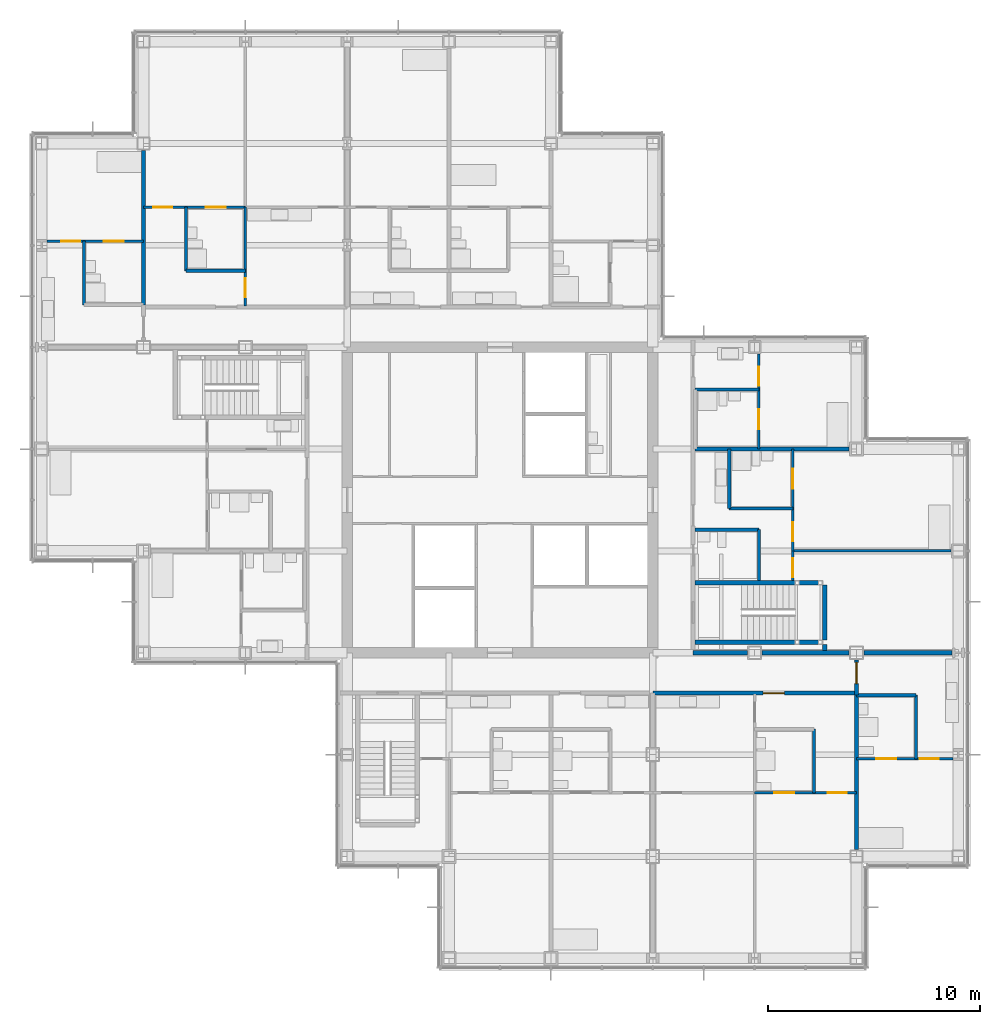
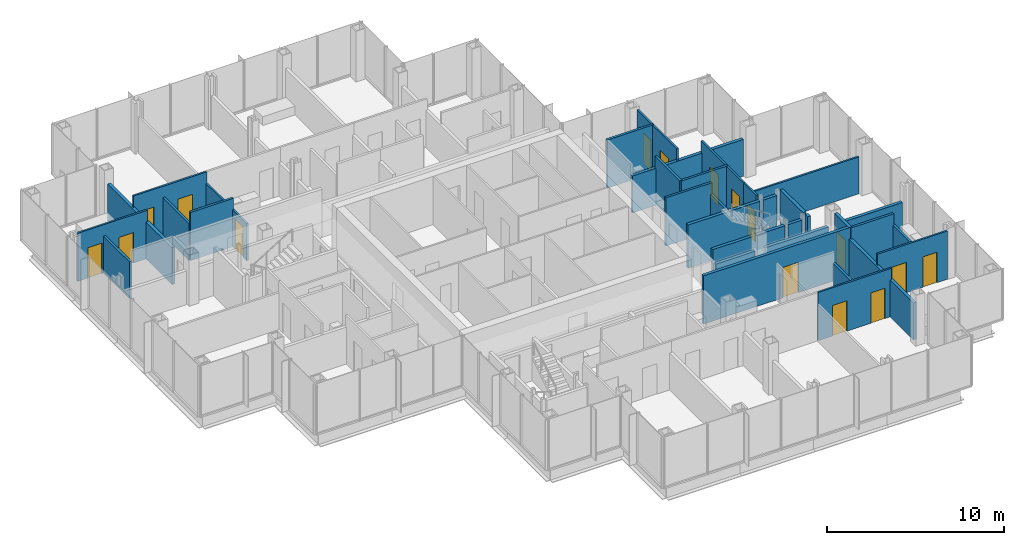
# One storey, part 15 of 19: 34 walls, 16 doors, 16 openings.
"""IFC4 building model written with IfcOpenShell, lengths in metres."""

from ifc_helpers import new_model, si_unit, direction, frame, frame_2d, origin, place, context, subcontext, project, spatial, rectangle, extrude, material, layer, layer_set, type_object, element, fill, save


model = new_model("IFC4")

# Units and contexts
model_context = context("Model", 3, precision=1e-05, world=origin(), true_north=direction((0.0, 1.0)))
body_context = subcontext(model_context, "Body", "Model", "MODEL_VIEW")
ifc_project = project(units=[si_unit("LENGTHUNIT", "METRE"), si_unit("AREAUNIT", "SQUARE_METRE"), si_unit("VOLUMEUNIT", "CUBIC_METRE"), si_unit("PLANEANGLEUNIT", "RADIAN"), si_unit("MASSUNIT", "GRAM", prefix="KILO")], contexts=[model_context])

# Site, building, storey
site_placement = place(None, origin())
site = spatial("IfcSite", under=ifc_project, at=site_placement, CompositionType="ELEMENT")
building_placement = place(site_placement, origin())
building = spatial("IfcBuilding", under=site, at=building_placement, Name="Kvirike Care Tower", CompositionType="ELEMENT")
storey_placement = place(building_placement, frame((0.0, 0.0, 98.0)))
storey = spatial("IfcBuildingStorey", under=building, at=storey_placement, Name="L26", CompositionType="ELEMENT", Elevation=98.0)

# Walls
ifc_material_1 = material(Name="Moisture-resistant board partition", Category="gypsum")
ifc_layer_1 = layer(ifc_material_1, 0.14990234375)
ifc_layer_set_1 = layer_set([ifc_layer_1], Name="BATHROOM WALL 150")
wall_type_1 = type_object("IfcWallType", Name="BATHROOM WALL 150", PredefinedType="PARTITIONING", material=ifc_layer_set_1)
wall_1_placement = place(storey_placement, frame((6.800048828125, 49.800048828125, 0.0), z_axis=(0.0, 0.0, 1.0), x_axis=(0.0, -1.0, 0.0)))
element("IfcWall", 1, at=wall_1_placement, inside=storey, type_object=wall_type_1, Name="Bathroom Wall 150 L26", PredefinedType="PARTITIONING", context=body_context, shape_type="SweptSolid", body=[
    extrude(rectangle(XDim=3.0, YDim=0.14990234375, at=frame_2d((1.5, 0.0))), origin(), (0.0, 0.0, 1.0), 2.550048828125),
])
wall_2_placement = place(storey_placement, frame((9.60009765625, 46.800048828125, 0.0), z_axis=(0.0, 0.0, 1.0), x_axis=(-1.0, 0.0, 0.0)))
element("IfcWall", 2, at=wall_2_placement, inside=storey, type_object=wall_type_1, Name="Bathroom Wall 150 L26", PredefinedType="PARTITIONING", context=body_context, shape_type="SweptSolid", body=[
    extrude(rectangle(XDim=2.800048828125, YDim=0.14990234375, at=frame_2d((1.39990234375, 0.0))), origin(), (0.0, 0.0, 1.0), 3.330078125),
])
for number, where, z_axis, x_axis, name in (
    (3, (2.0, 48.199951171875, 0.0), (0.0, 0.0, 1.0), (0.0, -1.0, 0.0), "Bathroom Wall 150 L26"),
    (4, (36.39990234375, 22.199951171875, 0.0), (0.0, 0.0, 1.0), (0.0, 1.0, 0.0), "Bathroom Wall 150 L26"),
    (5, (41.199951171875, 23.800048828125, 0.0), (0.0, 0.0, 1.0), (0.0, 1.0, 0.0), "Bathroom Wall 150 L26"),
):
    element("IfcWall", number, at=place(storey_placement, frame(where, z_axis=z_axis, x_axis=x_axis)), inside=storey, type_object=wall_type_1, Name=name, PredefinedType="PARTITIONING", context=body_context, shape_type="SweptSolid", body=[
        extrude(rectangle(XDim=3.0, YDim=0.14990234375, at=frame_2d((1.5, 0.0))), origin(), (0.0, 0.0, 1.0), 2.550048828125),
    ])
wall_3_placement = place(storey_placement, frame((38.39990234375, 26.800048828125, 0.0), z_axis=(0.0, 0.0, 1.0), x_axis=(1.0, 0.0, 0.0)))
element("IfcWall", 6, at=wall_3_placement, inside=storey, type_object=wall_type_1, Name="Bathroom Wall 150 L26", PredefinedType="PARTITIONING", context=body_context, shape_type="SweptSolid", body=[
    extrude(rectangle(XDim=2.800048828125, YDim=0.14990234375, at=frame_2d((1.39990234375, 0.0))), origin(), (0.0, 0.0, 1.0), 3.330078125),
])
wall_4_placement = place(storey_placement, frame((33.800048828125, 32.199951171875, 0.0), z_axis=(0.0, 0.0, 1.0), x_axis=(0.0, 1.0, 0.0)))
element("IfcWall", 7, at=wall_4_placement, inside=storey, type_object=wall_type_1, Name="Bathroom Wall 150 L26", PredefinedType="PARTITIONING", context=body_context, shape_type="SweptSolid", body=[
    extrude(rectangle(XDim=2.400146484375, YDim=0.14990234375, at=frame_2d((1.2001953125, 0.0))), origin(), (0.0, 0.0, 1.0), 2.550048828125),
])
for number, where, z_axis, x_axis, name in (
    (8, (33.800048828125, 34.60009765625, 0.0), (0.0, 0.0, 1.0), (-1.0, 0.0, 0.0), "Bathroom Wall 150 L26"),
    (9, (35.39990234375, 35.60009765625, 0.0), (0.0, 0.0, 1.0), (-1.0, 0.0, 0.0), "Bathroom Wall 150 L26"),
):
    element("IfcWall", number, at=place(storey_placement, frame(where, z_axis=z_axis, x_axis=x_axis)), inside=storey, type_object=wall_type_1, Name=name, PredefinedType="PARTITIONING", context=body_context, shape_type="SweptSolid", body=[
        extrude(rectangle(XDim=3.0, YDim=0.14990234375, at=frame_2d((1.5, 0.0))), origin(), (0.0, 0.0, 1.0), 3.330078125),
    ])
wall_5_placement = place(storey_placement, frame((32.39990234375, 35.60009765625, 0.0), z_axis=(0.0, 0.0, 1.0), x_axis=(0.0, 1.0, 0.0)))
element("IfcWall", 10, at=wall_5_placement, inside=storey, type_object=wall_type_1, Name="Bathroom Wall 150 L26", PredefinedType="PARTITIONING", context=body_context, shape_type="SweptSolid", body=[
    extrude(rectangle(XDim=2.7998046875, YDim=0.14990234375, at=frame_2d((1.39990234375, 0.0))), origin(), (0.0, 0.0, 1.0), 3.330078125),
])
wall_6_placement = place(storey_placement, frame((33.800048828125, 41.199951171875, 0.0), z_axis=(0.0, 0.0, 1.0), x_axis=(-1.0, 0.0, 0.0)))
element("IfcWall", 11, at=wall_6_placement, inside=storey, type_object=wall_type_1, Name="Bathroom Wall 150 L26", PredefinedType="PARTITIONING", context=body_context, shape_type="SweptSolid", body=[
    extrude(rectangle(XDim=3.0, YDim=0.14990234375, at=frame_2d((1.5, 0.0))), origin(), (0.0, 0.0, 1.0), 3.330078125),
])

# Wall, opening, door
ifc_material_2 = material(Name="Plasterboard corridor wall", Category="gypsum")
ifc_layer_2 = layer(ifc_material_2, 0.199951171875)
ifc_layer_set_2 = layer_set([ifc_layer_2], Name="CORRIDOR WALL 200")
wall_type_2 = type_object("IfcWallType", Name="CORRIDOR WALL 200", PredefinedType="PARTITIONING", material=ifc_layer_set_2)
wall_7_placement = place(storey_placement, frame((28.800048828125, 26.89990234375, 0.0), z_axis=(0.0, 0.0, 1.0), x_axis=(1.0, 0.0, 0.0)))
wall_7 = element("IfcWall", 12, at=wall_7_placement, inside=storey, type_object=wall_type_2, Name="Corridor Wall 200 L26", PredefinedType="PARTITIONING", context=body_context, shape_type="SweptSolid", body=[
    extrude(rectangle(XDim=9.599853515625, YDim=0.199951171875, at=frame_2d((4.7998046875, 0.0))), origin(), (0.0, 0.0, 1.0), 3.330078125),
])
opening_1_placement = place(wall_7_placement, frame((5.199951171875, 0.0, 0.0)))
opening_1 = element("IfcOpeningElement", 13, at=opening_1_placement, cuts=wall_7, Name="Opening 26-041", PredefinedType="OPENING", context=body_context, shape_type="SweptSolid", body=[
    extrude(rectangle(XDim=1.0, YDim=2.10009765625, at=frame_2d((0.5, 1.050048828125))), frame((0.0, 0.110595703125, 0.0), z_axis=(0.0, -1.0, 0.0), x_axis=(1.0, 0.0, 0.0)), (0.0, 0.0, 1.0), 0.220947265625),
])
ifc_material_3 = material(Name="Timber door set", Category="wood")
door_type_1 = type_object("IfcDoorType", Name="FLAT ENTRANCE DOOR 1000", OperationType="SINGLE_SWING_LEFT", PredefinedType="DOOR", material=ifc_material_3)
door_1_placement = place(opening_1_placement, frame((1.0, 0.0, 0.0), z_axis=(0.0, 0.0, 1.0), x_axis=(-1.0, 0.0, 0.0)))
door_1 = element("IfcDoor", 14, at=door_1_placement, inside=storey, type_object=door_type_1, Name="Accessible assisted living suite entrance", OperationType="SINGLE_SWING_LEFT", OverallHeight=2.10009765625, OverallWidth=1.0, PredefinedType="DOOR", context=body_context, shape_type="SweptSolid", body=[
    extrude(rectangle(XDim=1.0, YDim=2.10009765625, at=frame_2d((0.5, 1.050048828125))), frame((0.0, 0.02685546875, 0.0), z_axis=(0.0, -1.0, 0.0), x_axis=(1.0, 0.0, 0.0)), (0.0, 0.0, 1.0), 0.053955078125),
])
fill(opening_1, door_1)

wall_8_placement = place(storey_placement, frame((38.39990234375, 26.800048828125, 0.0), z_axis=(0.0, 0.0, 1.0), x_axis=(0.0, 1.0, 0.0)))
wall_8 = element("IfcWall", 15, at=wall_8_placement, inside=storey, type_object=wall_type_2, Name="Corridor Wall 200 L26", PredefinedType="PARTITIONING", context=body_context, shape_type="SweptSolid", body=[
    extrude(rectangle(XDim=1.655029296875, YDim=0.199951171875, at=frame_2d((0.82763671875, 0.0))), origin(), (0.0, 0.0, 1.0), 3.330078125),
])
opening_2_placement = place(wall_8_placement, frame((0.550048828125, 0.0, 0.0)))
opening_2 = element("IfcOpeningElement", 16, at=opening_2_placement, cuts=wall_8, Name="Opening 26-042", PredefinedType="OPENING", context=body_context, shape_type="SweptSolid", body=[
    extrude(rectangle(XDim=1.0, YDim=2.10009765625, at=frame_2d((0.5, 1.050048828125))), frame((0.0, 0.110595703125, 0.0), z_axis=(0.0, -1.0, 0.0), x_axis=(1.0, 0.0, 0.0)), (0.0, 0.0, 1.0), 0.220947265625),
])
door_2_placement = place(opening_2_placement, frame((1.0, 0.0, 0.0), z_axis=(0.0, 0.0, 1.0), x_axis=(-1.0, 0.0, 0.0)))
door_2 = element("IfcDoor", 17, at=door_2_placement, inside=storey, type_object=door_type_1, Name="Assisted living suite entrance", OperationType="SINGLE_SWING_RIGHT", OverallHeight=2.10009765625, OverallWidth=1.0, PredefinedType="DOOR", context=body_context, shape_type="SweptSolid", body=[
    extrude(rectangle(XDim=1.0, YDim=2.10009765625, at=frame_2d((0.5, 1.050048828125))), frame((0.0, 0.02685546875, 0.0), z_axis=(0.0, -1.0, 0.0), x_axis=(1.0, 0.0, 0.0)), (0.0, 0.0, 1.0), 0.053955078125),
])
fill(opening_2, door_2)

ifc_material_4 = material(Name="Plasterboard partition", Category="gypsum")
ifc_layer_3 = layer(ifc_material_4, 0.1201171875)
ifc_layer_set_3 = layer_set([ifc_layer_3], Name="PARTITION 120")
wall_type_3 = type_object("IfcWallType", Name="PARTITION 120", PredefinedType="PARTITIONING", material=ifc_layer_set_3)
wall_9_placement = place(storey_placement, frame((9.60009765625, 49.800048828125, 0.0), z_axis=(0.0, 0.0, 1.0), x_axis=(0.0, -1.0, 0.0)))
wall_9 = element("IfcWall", 18, at=wall_9_placement, inside=storey, type_object=wall_type_3, Name="Partition 120 L26", PredefinedType="PARTITIONING", context=body_context, shape_type="SweptSolid", body=[
    extrude(rectangle(XDim=4.650146484375, YDim=0.1201171875, at=frame_2d((2.3251953125, 0.0))), origin(), (0.0, 0.0, 1.0), 2.550048828125),
])
opening_3_placement = place(wall_9_placement, frame((3.35009765625, 0.0, 0.0)))
opening_3 = element("IfcOpeningElement", 19, at=opening_3_placement, cuts=wall_9, Name="Opening 26-010", PredefinedType="OPENING", context=body_context, shape_type="SweptSolid", body=[
    extrude(rectangle(XDim=0.89990234375, YDim=2.10009765625, at=frame_2d((0.449951171875, 1.050048828125))), frame((0.0, 0.070556640625, 0.0), z_axis=(0.0, -1.0, 0.0), x_axis=(1.0, 0.0, 0.0)), (0.0, 0.0, 1.0), 0.14111328125),
])
ifc_material_5 = material(Name="Timber door set", Category="wood")
door_type_2 = type_object("IfcDoorType", Name="INTERNAL DOOR 900", OperationType="SINGLE_SWING_LEFT", PredefinedType="DOOR", material=ifc_material_5)
door_3_placement = place(opening_3_placement, origin())
door_3 = element("IfcDoor", 20, at=door_3_placement, inside=storey, type_object=door_type_2, Name="Hall door", OperationType="SINGLE_SWING_LEFT", OverallHeight=2.10009765625, OverallWidth=0.89990234375, PredefinedType="DOOR", context=body_context, shape_type="SweptSolid", body=[
    extrude(rectangle(XDim=0.89990234375, YDim=2.10009765625, at=frame_2d((0.449951171875, 1.050048828125))), frame((0.0, 0.02197265625, 0.0), z_axis=(0.0, -1.0, 0.0), x_axis=(1.0, 0.0, 0.0)), (0.0, 0.0, 1.0), 0.0439453125),
])
fill(opening_3, door_3)

# Wall, openings, doors
wall_10_placement = place(storey_placement, frame((9.60009765625, 49.800048828125, 0.0), z_axis=(0.0, 0.0, 1.0), x_axis=(-1.0, 0.0, 0.0)))
wall_10 = element("IfcWall", 21, at=wall_10_placement, inside=storey, type_object=wall_type_3, Name="Partition 120 L26", PredefinedType="PARTITIONING", context=body_context, shape_type="SweptSolid", body=[
    extrude(rectangle(XDim=4.800048828125, YDim=0.1201171875, at=frame_2d((2.39990234375, 0.0))), origin(), (0.0, 0.0, 1.0), 3.330078125),
])
opening_4_placement = place(wall_10_placement, frame((3.449951171875, 0.0, 0.0)))
opening_4 = element("IfcOpeningElement", 22, at=opening_4_placement, cuts=wall_10, Name="Opening 26-012", PredefinedType="OPENING", context=body_context, shape_type="SweptSolid", body=[
    extrude(rectangle(XDim=0.89990234375, YDim=2.10009765625, at=frame_2d((0.449951171875, 1.050048828125))), frame((0.0, 0.070556640625, 0.0), z_axis=(0.0, -1.0, 0.0), x_axis=(1.0, 0.0, 0.0)), (0.0, 0.0, 1.0), 0.14111328125),
])
opening_5_placement = place(wall_10_placement, frame((0.925048828125, 0.0, 0.0)))
opening_5 = element("IfcOpeningElement", 23, at=opening_5_placement, cuts=wall_10, Name="Opening 26-013", PredefinedType="OPENING", context=body_context, shape_type="SweptSolid", body=[
    extrude(rectangle(XDim=0.949951171875, YDim=2.10009765625, at=frame_2d((0.47509765625, 1.050048828125))), frame((0.0, 0.070556640625, 0.0), z_axis=(0.0, -1.0, 0.0), x_axis=(1.0, 0.0, 0.0)), (0.0, 0.0, 1.0), 0.14111328125),
])
ifc_material_6 = material(Name="Timber door set", Category="wood")
door_type_3 = type_object("IfcDoorType", Name="EN-SUITE SLIDING DOOR 950", OperationType="SLIDING_TO_LEFT", PredefinedType="DOOR", material=ifc_material_6)
door_4_placement = place(opening_5_placement, origin())
door_4 = element("IfcDoor", 24, at=door_4_placement, inside=storey, type_object=door_type_3, Name="En-suite door", OperationType="SLIDING_TO_RIGHT", OverallHeight=2.10009765625, OverallWidth=0.949951171875, PredefinedType="DOOR", context=body_context, shape_type="SweptSolid", body=[
    extrude(rectangle(XDim=0.949951171875, YDim=2.10009765625, at=frame_2d((0.47509765625, 1.050048828125))), frame((0.0, 0.02197265625, 0.0), z_axis=(0.0, -1.0, 0.0), x_axis=(1.0, 0.0, 0.0)), (0.0, 0.0, 1.0), 0.0439453125),
])
fill(opening_5, door_4)
door_5_placement = place(opening_4_placement, origin())
door_5 = element("IfcDoor", 25, at=door_5_placement, inside=storey, type_object=door_type_2, Name="Accessible assisted living suite door", OperationType="SINGLE_SWING_LEFT", OverallHeight=2.10009765625, OverallWidth=0.89990234375, PredefinedType="DOOR", context=body_context, shape_type="SweptSolid", body=[
    extrude(rectangle(XDim=0.89990234375, YDim=2.10009765625, at=frame_2d((0.449951171875, 1.050048828125))), frame((0.0, 0.02197265625, 0.0), z_axis=(0.0, -1.0, 0.0), x_axis=(1.0, 0.0, 0.0)), (0.0, 0.0, 1.0), 0.0439453125),
])
fill(opening_4, door_5)

wall_11_placement = place(storey_placement, frame((4.800048828125, 48.199951171875, 0.0), z_axis=(0.0, 0.0, 1.0), x_axis=(-1.0, 0.0, 0.0)))
wall_11 = element("IfcWall", 26, at=wall_11_placement, inside=storey, type_object=wall_type_3, Name="Partition 120 L26", PredefinedType="PARTITIONING", context=body_context, shape_type="SweptSolid", body=[
    extrude(rectangle(XDim=4.552978515625, YDim=0.1201171875, at=frame_2d((2.2763671875, 0.0))), origin(), (0.0, 0.0, 1.0), 3.330078125),
])
opening_6_placement = place(wall_11_placement, frame((2.97509765625, 0.0, 0.0)))
opening_6 = element("IfcOpeningElement", 27, at=opening_6_placement, cuts=wall_11, Name="Opening 26-014", PredefinedType="OPENING", context=body_context, shape_type="SweptSolid", body=[
    extrude(rectangle(XDim=0.89990234375, YDim=2.10009765625, at=frame_2d((0.449951171875, 1.050048828125))), frame((0.0, 0.070556640625, 0.0), z_axis=(0.0, -1.0, 0.0), x_axis=(1.0, 0.0, 0.0)), (0.0, 0.0, 1.0), 0.14111328125),
])
opening_7_placement = place(wall_11_placement, frame((0.925048828125, 0.0, 0.0)))
opening_7 = element("IfcOpeningElement", 28, at=opening_7_placement, cuts=wall_11, Name="Opening 26-015", PredefinedType="OPENING", context=body_context, shape_type="SweptSolid", body=[
    extrude(rectangle(XDim=0.949951171875, YDim=2.10009765625, at=frame_2d((0.47509765625, 1.050048828125))), frame((0.0, 0.070556640625, 0.0), z_axis=(0.0, -1.0, 0.0), x_axis=(1.0, 0.0, 0.0)), (0.0, 0.0, 1.0), 0.14111328125),
])
door_6_placement = place(opening_7_placement, origin())
door_6 = element("IfcDoor", 29, at=door_6_placement, inside=storey, type_object=door_type_3, Name="En-suite door", OperationType="SLIDING_TO_LEFT", OverallHeight=2.10009765625, OverallWidth=0.949951171875, PredefinedType="DOOR", context=body_context, shape_type="SweptSolid", body=[
    extrude(rectangle(XDim=0.949951171875, YDim=2.10009765625, at=frame_2d((0.47509765625, 1.050048828125))), frame((0.0, 0.02197265625, 0.0), z_axis=(0.0, -1.0, 0.0), x_axis=(1.0, 0.0, 0.0)), (0.0, 0.0, 1.0), 0.0439453125),
])
fill(opening_7, door_6)
door_7_placement = place(opening_6_placement, origin())
door_7 = element("IfcDoor", 30, at=door_7_placement, inside=storey, type_object=door_type_2, Name="Assisted living suite door", OperationType="SINGLE_SWING_RIGHT", OverallHeight=2.10009765625, OverallWidth=0.89990234375, PredefinedType="DOOR", context=body_context, shape_type="SweptSolid", body=[
    extrude(rectangle(XDim=0.89990234375, YDim=2.10009765625, at=frame_2d((0.449951171875, 1.050048828125))), frame((0.0, 0.02197265625, 0.0), z_axis=(0.0, -1.0, 0.0), x_axis=(1.0, 0.0, 0.0)), (0.0, 0.0, 1.0), 0.0439453125),
])
fill(opening_6, door_7)

wall_12_placement = place(storey_placement, frame((33.60009765625, 22.199951171875, 0.0), z_axis=(0.0, 0.0, 1.0), x_axis=(1.0, 0.0, 0.0)))
wall_12 = element("IfcWall", 31, at=wall_12_placement, inside=storey, type_object=wall_type_3, Name="Partition 120 L26", PredefinedType="PARTITIONING", context=body_context, shape_type="SweptSolid", body=[
    extrude(rectangle(XDim=4.7998046875, YDim=0.1201171875, at=frame_2d((2.39990234375, 0.0))), origin(), (0.0, 0.0, 1.0), 3.330078125),
])
opening_8_placement = place(wall_12_placement, frame((3.449951171875, 0.0, 0.0)))
opening_8 = element("IfcOpeningElement", 32, at=opening_8_placement, cuts=wall_12, Name="Opening 26-037", PredefinedType="OPENING", context=body_context, shape_type="SweptSolid", body=[
    extrude(rectangle(XDim=0.89990234375, YDim=2.10009765625, at=frame_2d((0.449951171875, 1.050048828125))), frame((0.0, 0.070556640625, 0.0), z_axis=(0.0, -1.0, 0.0), x_axis=(1.0, 0.0, 0.0)), (0.0, 0.0, 1.0), 0.14111328125),
])
opening_9_placement = place(wall_12_placement, frame((0.925048828125, 0.0, 0.0)))
opening_9 = element("IfcOpeningElement", 33, at=opening_9_placement, cuts=wall_12, Name="Opening 26-038", PredefinedType="OPENING", context=body_context, shape_type="SweptSolid", body=[
    extrude(rectangle(XDim=0.949951171875, YDim=2.10009765625, at=frame_2d((0.47509765625, 1.050048828125))), frame((0.0, 0.070556640625, 0.0), z_axis=(0.0, -1.0, 0.0), x_axis=(1.0, 0.0, 0.0)), (0.0, 0.0, 1.0), 0.14111328125),
])
door_8_placement = place(opening_9_placement, origin())
door_8 = element("IfcDoor", 34, at=door_8_placement, inside=storey, type_object=door_type_3, Name="En-suite door", OperationType="SLIDING_TO_RIGHT", OverallHeight=2.10009765625, OverallWidth=0.949951171875, PredefinedType="DOOR", context=body_context, shape_type="SweptSolid", body=[
    extrude(rectangle(XDim=0.949951171875, YDim=2.10009765625, at=frame_2d((0.47509765625, 1.050048828125))), frame((0.0, 0.02197265625, 0.0), z_axis=(0.0, -1.0, 0.0), x_axis=(1.0, 0.0, 0.0)), (0.0, 0.0, 1.0), 0.0439453125),
])
fill(opening_9, door_8)
door_9_placement = place(opening_8_placement, origin())
door_9 = element("IfcDoor", 35, at=door_9_placement, inside=storey, type_object=door_type_2, Name="Accessible assisted living suite door", OperationType="SINGLE_SWING_LEFT", OverallHeight=2.10009765625, OverallWidth=0.89990234375, PredefinedType="DOOR", context=body_context, shape_type="SweptSolid", body=[
    extrude(rectangle(XDim=0.89990234375, YDim=2.10009765625, at=frame_2d((0.449951171875, 1.050048828125))), frame((0.0, 0.02197265625, 0.0), z_axis=(0.0, -1.0, 0.0), x_axis=(1.0, 0.0, 0.0)), (0.0, 0.0, 1.0), 0.0439453125),
])
fill(opening_8, door_9)

wall_13_placement = place(storey_placement, frame((38.39990234375, 23.800048828125, 0.0), z_axis=(0.0, 0.0, 1.0), x_axis=(1.0, 0.0, 0.0)))
wall_13 = element("IfcWall", 36, at=wall_13_placement, inside=storey, type_object=wall_type_3, Name="Partition 120 L26", PredefinedType="PARTITIONING", context=body_context, shape_type="SweptSolid", body=[
    extrude(rectangle(XDim=4.552978515625, YDim=0.1201171875, at=frame_2d((2.2763671875, 0.0))), origin(), (0.0, 0.0, 1.0), 3.330078125),
])
opening_10_placement = place(wall_13_placement, frame((2.97509765625, 0.0, 0.0)))
opening_10 = element("IfcOpeningElement", 37, at=opening_10_placement, cuts=wall_13, Name="Opening 26-039", PredefinedType="OPENING", context=body_context, shape_type="SweptSolid", body=[
    extrude(rectangle(XDim=0.89990234375, YDim=2.10009765625, at=frame_2d((0.449951171875, 1.050048828125))), frame((0.0, 0.070556640625, 0.0), z_axis=(0.0, -1.0, 0.0), x_axis=(1.0, 0.0, 0.0)), (0.0, 0.0, 1.0), 0.14111328125),
])
opening_11_placement = place(wall_13_placement, frame((0.925048828125, 0.0, 0.0)))
opening_11 = element("IfcOpeningElement", 38, at=opening_11_placement, cuts=wall_13, Name="Opening 26-040", PredefinedType="OPENING", context=body_context, shape_type="SweptSolid", body=[
    extrude(rectangle(XDim=0.949951171875, YDim=2.10009765625, at=frame_2d((0.47509765625, 1.050048828125))), frame((0.0, 0.070556640625, 0.0), z_axis=(0.0, -1.0, 0.0), x_axis=(1.0, 0.0, 0.0)), (0.0, 0.0, 1.0), 0.14111328125),
])
door_10_placement = place(opening_11_placement, origin())
door_10 = element("IfcDoor", 39, at=door_10_placement, inside=storey, type_object=door_type_3, Name="En-suite door", OperationType="SLIDING_TO_LEFT", OverallHeight=2.10009765625, OverallWidth=0.949951171875, PredefinedType="DOOR", context=body_context, shape_type="SweptSolid", body=[
    extrude(rectangle(XDim=0.949951171875, YDim=2.10009765625, at=frame_2d((0.47509765625, 1.050048828125))), frame((0.0, 0.02197265625, 0.0), z_axis=(0.0, -1.0, 0.0), x_axis=(1.0, 0.0, 0.0)), (0.0, 0.0, 1.0), 0.0439453125),
])
fill(opening_11, door_10)
door_11_placement = place(opening_10_placement, origin())
door_11 = element("IfcDoor", 40, at=door_11_placement, inside=storey, type_object=door_type_2, Name="Assisted living suite door", OperationType="SINGLE_SWING_RIGHT", OverallHeight=2.10009765625, OverallWidth=0.89990234375, PredefinedType="DOOR", context=body_context, shape_type="SweptSolid", body=[
    extrude(rectangle(XDim=0.89990234375, YDim=2.10009765625, at=frame_2d((0.449951171875, 1.050048828125))), frame((0.0, 0.02197265625, 0.0), z_axis=(0.0, -1.0, 0.0), x_axis=(1.0, 0.0, 0.0)), (0.0, 0.0, 1.0), 0.0439453125),
])
fill(opening_10, door_11)

# Wall, opening, door
wall_14_placement = place(storey_placement, frame((35.39990234375, 32.199951171875, 0.0), z_axis=(0.0, 0.0, 1.0), x_axis=(0.0, 1.0, 0.0)))
wall_14 = element("IfcWall", 41, at=wall_14_placement, inside=storey, type_object=wall_type_3, Name="Partition 120 L26", PredefinedType="PARTITIONING", context=body_context, shape_type="SweptSolid", body=[
    extrude(rectangle(XDim=1.400146484375, YDim=0.1201171875, at=frame_2d((0.7001953125, 0.0))), origin(), (0.0, 0.0, 1.0), 3.330078125),
])
opening_12_placement = place(wall_14_placement, frame((0.14990234375, 0.0, 0.0)))
opening_12 = element("IfcOpeningElement", 42, at=opening_12_placement, cuts=wall_14, Name="Opening 26-043", PredefinedType="OPENING", context=body_context, shape_type="SweptSolid", body=[
    extrude(rectangle(XDim=0.89990234375, YDim=2.10009765625, at=frame_2d((0.449951171875, 1.050048828125))), frame((0.0, 0.070556640625, 0.0), z_axis=(0.0, -1.0, 0.0), x_axis=(1.0, 0.0, 0.0)), (0.0, 0.0, 1.0), 0.14111328125),
])
door_12_placement = place(opening_12_placement, origin())
door_12 = element("IfcDoor", 43, at=door_12_placement, inside=storey, type_object=door_type_2, Name="Suite sitting room door", OperationType="SINGLE_SWING_RIGHT", OverallHeight=2.10009765625, OverallWidth=0.89990234375, PredefinedType="DOOR", context=body_context, shape_type="SweptSolid", body=[
    extrude(rectangle(XDim=0.89990234375, YDim=2.10009765625, at=frame_2d((0.449951171875, 1.050048828125))), frame((0.0, 0.02197265625, 0.0), z_axis=(0.0, -1.0, 0.0), x_axis=(1.0, 0.0, 0.0)), (0.0, 0.0, 1.0), 0.0439453125),
])
fill(opening_12, door_12)

# Wall, openings, doors
wall_15_placement = place(storey_placement, frame((35.39990234375, 33.60009765625, 0.0), z_axis=(0.0, 0.0, 1.0), x_axis=(0.0, 1.0, 0.0)))
wall_15 = element("IfcWall", 44, at=wall_15_placement, inside=storey, type_object=wall_type_3, Name="Partition 120 L26", PredefinedType="PARTITIONING", context=body_context, shape_type="SweptSolid", body=[
    extrude(rectangle(XDim=4.7998046875, YDim=0.1201171875, at=frame_2d((2.39990234375, 0.0))), origin(), (0.0, 0.0, 1.0), 3.330078125),
])
opening_13_placement = place(wall_15_placement, frame((0.449951171875, 0.0, 0.0)))
opening_13 = element("IfcOpeningElement", 45, at=opening_13_placement, cuts=wall_15, Name="Opening 26-044", PredefinedType="OPENING", context=body_context, shape_type="SweptSolid", body=[
    extrude(rectangle(XDim=0.89990234375, YDim=2.10009765625, at=frame_2d((0.449951171875, 1.050048828125))), frame((0.0, 0.070556640625, 0.0), z_axis=(0.0, -1.0, 0.0), x_axis=(1.0, 0.0, 0.0)), (0.0, 0.0, 1.0), 0.14111328125),
])
opening_14_placement = place(wall_15_placement, frame((2.925048828125, 0.0, 0.0)))
opening_14 = element("IfcOpeningElement", 46, at=opening_14_placement, cuts=wall_15, Name="Opening 26-045", PredefinedType="OPENING", context=body_context, shape_type="SweptSolid", body=[
    extrude(rectangle(XDim=0.949951171875, YDim=2.10009765625, at=frame_2d((0.47509765625, 1.050048828125))), frame((0.0, 0.070556640625, 0.0), z_axis=(0.0, -1.0, 0.0), x_axis=(1.0, 0.0, 0.0)), (0.0, 0.0, 1.0), 0.14111328125),
])
door_13_placement = place(opening_14_placement, origin())
door_13 = element("IfcDoor", 47, at=door_13_placement, inside=storey, type_object=door_type_3, Name="En-suite door", OperationType="SLIDING_TO_LEFT", OverallHeight=2.10009765625, OverallWidth=0.949951171875, PredefinedType="DOOR", context=body_context, shape_type="SweptSolid", body=[
    extrude(rectangle(XDim=0.949951171875, YDim=2.10009765625, at=frame_2d((0.47509765625, 1.050048828125))), frame((0.0, 0.02197265625, 0.0), z_axis=(0.0, -1.0, 0.0), x_axis=(1.0, 0.0, 0.0)), (0.0, 0.0, 1.0), 0.0439453125),
])
fill(opening_14, door_13)
door_14_placement = place(opening_13_placement, origin())
door_14 = element("IfcDoor", 48, at=door_14_placement, inside=storey, type_object=door_type_2, Name="Assisted living suite door", OperationType="SINGLE_SWING_LEFT", OverallHeight=2.10009765625, OverallWidth=0.89990234375, PredefinedType="DOOR", context=body_context, shape_type="SweptSolid", body=[
    extrude(rectangle(XDim=0.89990234375, YDim=2.10009765625, at=frame_2d((0.449951171875, 1.050048828125))), frame((0.0, 0.02197265625, 0.0), z_axis=(0.0, -1.0, 0.0), x_axis=(1.0, 0.0, 0.0)), (0.0, 0.0, 1.0), 0.0439453125),
])
fill(opening_13, door_14)

# Wall
wall_16_placement = place(storey_placement, frame((42.85498046875, 33.60009765625, 0.0), z_axis=(0.0, 0.0, 1.0), x_axis=(-1.0, 0.0, 0.0)))
element("IfcWall", 49, at=wall_16_placement, inside=storey, type_object=wall_type_3, Name="Partition 120 L26", PredefinedType="PARTITIONING", context=body_context, shape_type="SweptSolid", body=[
    extrude(rectangle(XDim=7.455078125, YDim=0.1201171875, at=frame_2d((3.7275390625, 0.0))), origin(), (0.0, 0.0, 1.0), 2.550048828125),
])

# Wall, openings, doors
wall_17_placement = place(storey_placement, frame((33.800048828125, 38.39990234375, 0.0), z_axis=(0.0, 0.0, 1.0), x_axis=(0.0, 1.0, 0.0)))
wall_17 = element("IfcWall", 50, at=wall_17_placement, inside=storey, type_object=wall_type_3, Name="Partition 120 L26", PredefinedType="PARTITIONING", context=body_context, shape_type="SweptSolid", body=[
    extrude(rectangle(XDim=4.47998046875, YDim=0.1201171875, at=frame_2d((2.239990234375, 0.0))), origin(), (0.0, 0.0, 1.0), 3.330078125),
])
opening_15_placement = place(wall_17_placement, frame((2.97509765625, 0.0, 0.0)))
opening_15 = element("IfcOpeningElement", 51, at=opening_15_placement, cuts=wall_17, Name="Opening 26-046", PredefinedType="OPENING", context=body_context, shape_type="SweptSolid", body=[
    extrude(rectangle(XDim=0.89990234375, YDim=2.10009765625, at=frame_2d((0.449951171875, 1.050048828125))), frame((0.0, 0.070556640625, 0.0), z_axis=(0.0, -1.0, 0.0), x_axis=(1.0, 0.0, 0.0)), (0.0, 0.0, 1.0), 0.14111328125),
])
opening_16_placement = place(wall_17_placement, frame((0.925048828125, 0.0, 0.0)))
opening_16 = element("IfcOpeningElement", 52, at=opening_16_placement, cuts=wall_17, Name="Opening 26-047", PredefinedType="OPENING", context=body_context, shape_type="SweptSolid", body=[
    extrude(rectangle(XDim=0.949951171875, YDim=2.10009765625, at=frame_2d((0.47509765625, 1.050048828125))), frame((0.0, 0.070556640625, 0.0), z_axis=(0.0, -1.0, 0.0), x_axis=(1.0, 0.0, 0.0)), (0.0, 0.0, 1.0), 0.14111328125),
])
door_15_placement = place(opening_16_placement, origin())
door_15 = element("IfcDoor", 53, at=door_15_placement, inside=storey, type_object=door_type_3, Name="En-suite door", OperationType="SLIDING_TO_RIGHT", OverallHeight=2.10009765625, OverallWidth=0.949951171875, PredefinedType="DOOR", context=body_context, shape_type="SweptSolid", body=[
    extrude(rectangle(XDim=0.949951171875, YDim=2.10009765625, at=frame_2d((0.47509765625, 1.050048828125))), frame((0.0, 0.02197265625, 0.0), z_axis=(0.0, -1.0, 0.0), x_axis=(1.0, 0.0, 0.0)), (0.0, 0.0, 1.0), 0.0439453125),
])
fill(opening_16, door_15)
door_16_placement = place(opening_15_placement, origin())
door_16 = element("IfcDoor", 54, at=door_16_placement, inside=storey, type_object=door_type_2, Name="Assisted living suite door", OperationType="SINGLE_SWING_RIGHT", OverallHeight=2.10009765625, OverallWidth=0.89990234375, PredefinedType="DOOR", context=body_context, shape_type="SweptSolid", body=[
    extrude(rectangle(XDim=0.89990234375, YDim=2.10009765625, at=frame_2d((0.449951171875, 1.050048828125))), frame((0.0, 0.02197265625, 0.0), z_axis=(0.0, -1.0, 0.0), x_axis=(1.0, 0.0, 0.0)), (0.0, 0.0, 1.0), 0.0439453125),
])
fill(opening_15, door_16)

# Walls
ifc_material_7 = material(Name="Plasterboard party wall", Category="gypsum")
ifc_layer_4 = layer(ifc_material_7, 0.199951171875)
ifc_layer_set_4 = layer_set([ifc_layer_4], Name="PARTY WALL 200")
wall_type_4 = type_object("IfcWallType", Name="PARTY WALL 200", PredefinedType="PARTITIONING", material=ifc_layer_set_4)
for number, where, z_axis, x_axis, name in (
    (55, (4.800048828125, 52.47998046875, 0.0), (0.0, 0.0, 1.0), (0.0, -1.0, 0.0), "Party Wall 200 L26"),
    (56, (38.39990234375, 19.52001953125, 0.0), (0.0, 0.0, 1.0), (0.0, 1.0, 0.0), "Party Wall 200 L26"),
):
    element("IfcWall", number, at=place(storey_placement, frame(where, z_axis=z_axis, x_axis=x_axis)), inside=storey, type_object=wall_type_4, Name=name, PredefinedType="PARTITIONING", context=body_context, shape_type="SweptSolid", body=[
        extrude(rectangle(XDim=7.280029296875, YDim=0.199951171875, at=frame_2d((3.64013671875, 0.0))), origin(), (0.0, 0.0, 1.0), 2.550048828125),
    ])
wall_18_placement = place(storey_placement, frame((38.054931640625, 38.39990234375, 0.0), z_axis=(0.0, 0.0, 1.0), x_axis=(-1.0, 0.0, 0.0)))
element("IfcWall", 57, at=wall_18_placement, inside=storey, type_object=wall_type_4, Name="Party Wall 200 L26", PredefinedType="PARTITIONING", context=body_context, shape_type="SweptSolid", body=[
    extrude(rectangle(XDim=7.2548828125, YDim=0.199951171875, at=frame_2d((3.62744140625, 0.0))), origin(), (0.0, 0.0, 1.0), 2.550048828125),
])
wall_19_placement = place(storey_placement, frame((42.8955078125, 28.800048828125, 0.0), z_axis=(0.0, 0.0, 1.0), x_axis=(-1.0, 0.0, 0.0)))
element("IfcWall", 58, at=wall_19_placement, inside=storey, type_object=wall_type_4, Name="Party Wall 200 L26", PredefinedType="PARTITIONING", context=body_context, shape_type="SweptSolid", body=[
    extrude(rectangle(XDim=4.150390625, YDim=0.199951171875, at=frame_2d((2.0751953125, 0.0))), origin(), (0.0, 0.0, 1.0), 2.320068359375),
])
wall_20_placement = place(storey_placement, frame((38.054931640625, 28.800048828125, 0.0), z_axis=(0.0, 0.0, 1.0), x_axis=(-1.0, 0.0, 0.0)))
element("IfcWall", 59, at=wall_20_placement, inside=storey, type_object=wall_type_4, Name="Party Wall 200 L26", PredefinedType="PARTITIONING", context=body_context, shape_type="SweptSolid", body=[
    extrude(rectangle(XDim=4.10986328125, YDim=0.199951171875, at=frame_2d((2.054931640625, 0.0))), origin(), (0.0, 0.0, 1.0), 2.320068359375),
])
wall_21_placement = place(storey_placement, frame((33.2548828125, 28.800048828125, 0.0), z_axis=(0.0, 0.0, 1.0), x_axis=(-1.0, 0.0, 0.0)))
element("IfcWall", 60, at=wall_21_placement, inside=storey, type_object=wall_type_4, Name="Party Wall 200 L26", PredefinedType="PARTITIONING", context=body_context, shape_type="SweptSolid", body=[
    extrude(rectangle(XDim=2.554931640625, YDim=0.199951171875, at=frame_2d((1.27734375, 0.0))), origin(), (0.0, 0.0, 1.0), 2.320068359375),
])
ifc_material_8 = material(Name="Concrete C40/50", Category="concrete")
ifc_layer_5 = layer(ifc_material_8, 0.199951171875)
ifc_layer_set_5 = layer_set([ifc_layer_5], Name="STAIR WALL 200")
wall_type_5 = type_object("IfcWallType", Name="STAIR WALL 200", PredefinedType="SOLIDWALL", material=ifc_layer_set_5)
wall_22_placement = place(storey_placement, frame((36.60009765625, 29.300048828125, 0.0), z_axis=(0.0, 0.0, 1.0), x_axis=(-1.0, 0.0, 0.0)))
element("IfcWall", 61, at=wall_22_placement, inside=storey, type_object=wall_type_5, Name="Stair Wall 200 L26", PredefinedType="SOLIDWALL", context=body_context, shape_type="SweptSolid", body=[
    extrude(rectangle(XDim=0.900146484375, YDim=0.199951171875, at=frame_2d((0.4501953125, 0.0))), origin(), (0.0, 0.0, 1.0), 2.989990234375),
])
wall_23_placement = place(storey_placement, frame((35.5, 29.300048828125, 0.0), z_axis=(0.0, 0.0, 1.0), x_axis=(-1.0, 0.0, 0.0)))
element("IfcWall", 62, at=wall_23_placement, inside=storey, type_object=wall_type_5, Name="Stair Wall 200 L26", PredefinedType="SOLIDWALL", context=body_context, shape_type="SweptSolid", body=[
    extrude(rectangle(XDim=4.699951171875, YDim=0.199951171875, at=frame_2d((2.35009765625, 0.0))), origin(), (0.0, 0.0, 1.0), 2.989990234375),
])
wall_24_placement = place(storey_placement, frame((36.60009765625, 32.10009765625, 0.0), z_axis=(0.0, 0.0, 1.0), x_axis=(-1.0, 0.0, 0.0)))
element("IfcWall", 63, at=wall_24_placement, inside=storey, type_object=wall_type_5, Name="Stair Wall 200 L26", PredefinedType="SOLIDWALL", context=body_context, shape_type="SweptSolid", body=[
    extrude(rectangle(XDim=0.900146484375, YDim=0.199951171875, at=frame_2d((0.4501953125, 0.0))), origin(), (0.0, 0.0, 1.0), 2.989990234375),
])
wall_25_placement = place(storey_placement, frame((35.5, 32.10009765625, 0.0), z_axis=(0.0, 0.0, 1.0), x_axis=(-1.0, 0.0, 0.0)))
element("IfcWall", 64, at=wall_25_placement, inside=storey, type_object=wall_type_5, Name="Stair Wall 200 L26", PredefinedType="SOLIDWALL", context=body_context, shape_type="SweptSolid", body=[
    extrude(rectangle(XDim=4.699951171875, YDim=0.199951171875, at=frame_2d((2.35009765625, 0.0))), origin(), (0.0, 0.0, 1.0), 2.989990234375),
])
wall_26_placement = place(storey_placement, frame((36.89990234375, 28.89990234375, 0.0), z_axis=(0.0, 0.0, 1.0), x_axis=(0.0, 1.0, 0.0)))
element("IfcWall", 65, at=wall_26_placement, inside=storey, type_object=wall_type_5, Name="Stair Wall 200 L26", PredefinedType="SOLIDWALL", context=body_context, shape_type="SweptSolid", body=[
    extrude(rectangle(XDim=0.300048828125, YDim=0.199951171875, at=frame_2d((0.14990234375, 0.0))), origin(), (0.0, 0.0, 1.0), 3.330078125),
])
wall_27_placement = place(storey_placement, frame((36.89990234375, 29.39990234375, 0.0), z_axis=(0.0, 0.0, 1.0), x_axis=(0.0, 1.0, 0.0)))
element("IfcWall", 66, at=wall_27_placement, inside=storey, type_object=wall_type_5, Name="Stair Wall 200 L26", PredefinedType="SOLIDWALL", context=body_context, shape_type="SweptSolid", body=[
    extrude(rectangle(XDim=2.60009765625, YDim=0.199951171875, at=frame_2d((1.300048828125, 0.0))), origin(), (0.0, 0.0, 1.0), 3.330078125),
])

save(model, "model.ifc")
